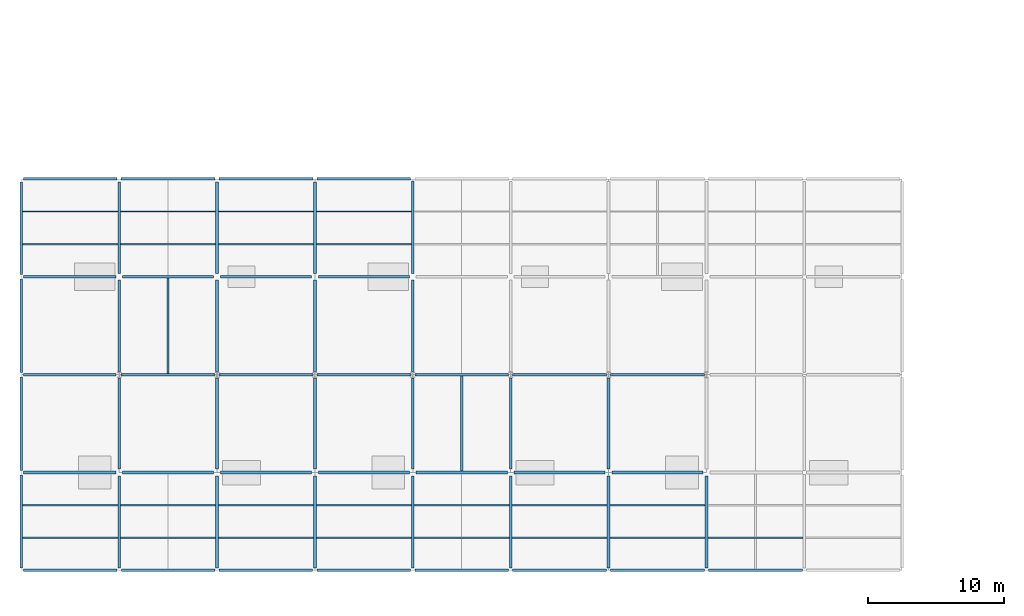
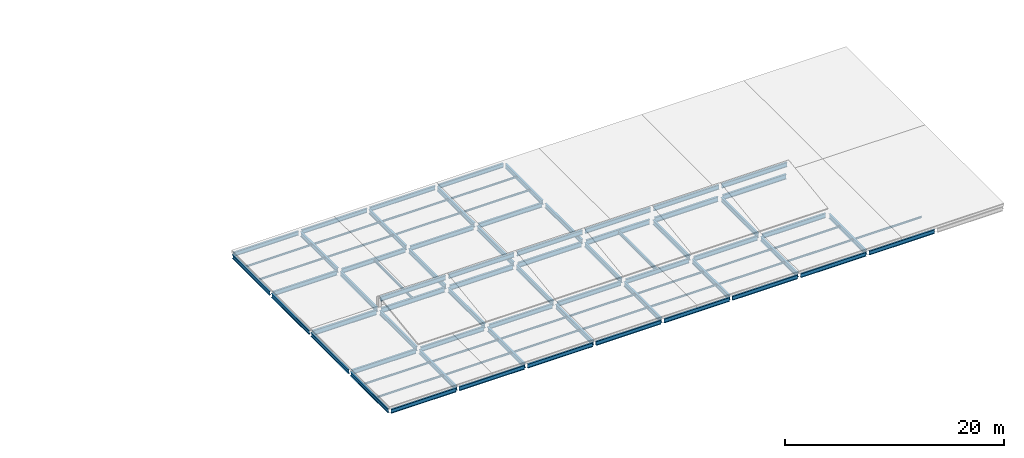
# One storey, part 3 of 16: 63 beams, 23 members.
"""IFC4 building model written with IfcOpenShell, lengths in metres."""

from ifc_helpers import new_model, si_unit, direction, frame, origin, origin_2d, place, context, subcontext, project, spatial, i_section, extrude, material, material_profile, profile_set, type_object, element, save


model = new_model("IFC4")

# Units and contexts
model_context = context("Model", 3, precision=1e-05, world=origin(), true_north=direction((0.0, 1.0)))
body_context = subcontext(model_context, "Body", "Model", "MODEL_VIEW")
ifc_project = project(units=[si_unit("LENGTHUNIT", "METRE"), si_unit("AREAUNIT", "SQUARE_METRE"), si_unit("VOLUMEUNIT", "CUBIC_METRE"), si_unit("PLANEANGLEUNIT", "RADIAN"), si_unit("MASSUNIT", "GRAM", prefix="KILO")], contexts=[model_context])

# Site, building, storey
site_placement = place(None, origin())
site = spatial("IfcSite", under=ifc_project, at=site_placement, CompositionType="ELEMENT")
building_placement = place(site_placement, origin())
building = spatial("IfcBuilding", under=site, at=building_placement, Name="Sardonyx Promenade Sports Hall", CompositionType="ELEMENT")
storey_placement = place(building_placement, frame((0.0, 0.0, 24.800048828125)))
storey = spatial("IfcBuildingStorey", under=building, at=storey_placement, Name="RF", CompositionType="ELEMENT", Elevation=24.800048828125)

# Beams
ifc_material_1 = material(Name="Steel S355JR", Category="steel")
ifc_material_profile_1 = material_profile(ifc_material_1, i_section(OverallWidth=0.135009765625, OverallDepth=0.27001953125, WebThickness=0.006591796875, FlangeThickness=0.01025390625, at=origin_2d()))
ifc_profile_set_1 = profile_set([ifc_material_profile_1], Name="Steel S355JR")
beam_type_1 = type_object("IfcBeamType", Name="Bm_Joist_IPE270", PredefinedType="JOIST", material=ifc_profile_set_1)
beam_1_placement = place(storey_placement, frame((18.0, 14.5048828125, -0.364990234375), z_axis=(0.0, 1.0, 0.0), x_axis=(-1.0, 0.0, 0.0)))
element("IfcBeam", 1, at=beam_1_placement, inside=storey, type_object=beam_type_1, Name="Secondary joist SJ01 RF #1184", PredefinedType="JOIST", context=body_context, shape_type="SweptSolid", body=[
    extrude(i_section(OverallWidth=0.135009765625, OverallDepth=0.27001953125, WebThickness=0.006591796875, FlangeThickness=0.01025390625, at=origin_2d()), origin(), (0.0, 0.0, 1.0), 6.9951171875),
])
ifc_material_2 = material(Name="Steel S355JR", Category="steel")
ifc_material_profile_2 = material_profile(ifc_material_2, i_section(OverallWidth=0.169921875, OverallDepth=0.360107421875, WebThickness=0.008056640625, FlangeThickness=0.0126953125, at=origin_2d()))
ifc_profile_set_2 = profile_set([ifc_material_profile_2], Name="Steel S355JR")
beam_type_2 = type_object("IfcBeamType", Name="Bm_Joist_IPE360", PredefinedType="JOIST", material=ifc_profile_set_2)
beam_2_placement = place(storey_placement, frame((39.60009765625, 7.300048828125, -0.41015625), z_axis=(0.0, 1.0, 0.0), x_axis=(-1.0, 0.0, 0.0)))
element("IfcBeam", 2, at=beam_2_placement, inside=storey, type_object=beam_type_2, Name="Secondary joist SJ05 RF #1185", PredefinedType="JOIST", context=body_context, shape_type="SweptSolid", body=[
    extrude(i_section(OverallWidth=0.169921875, OverallDepth=0.360107421875, WebThickness=0.008056640625, FlangeThickness=0.0126953125, at=origin_2d()), origin(), (0.0, 0.0, 1.0), 6.994873046875),
])
ifc_material_3 = material(Name="Steel S355JR", Category="steel")
ifc_material_profile_3 = material_profile(ifc_material_3, i_section(OverallWidth=0.199951171875, OverallDepth=0.5, WebThickness=0.01025390625, FlangeThickness=0.01611328125, at=origin_2d()))
ifc_profile_set_3 = profile_set([ifc_material_profile_3], Name="Steel S355JR")
beam_type_3 = type_object("IfcBeamType", Name="Bm_Primary_IPE500", PredefinedType="BEAM", material=ifc_profile_set_3)
for number, where, z_axis, x_axis, name in (
    (3, (14.550048828125, 14.39990234375, 0.8017578125), (1.0, 0.0, 0.0), (0.0, 1.0, 0.0), "Pavilion ridge beam #1"),
    (4, (21.75, 14.39990234375, 0.8017578125), (1.0, 0.0, 0.0), (0.0, 1.0, 0.0), "Pavilion ridge beam #2"),
):
    element("IfcBeam", number, at=place(storey_placement, frame(where, z_axis=z_axis, x_axis=x_axis)), inside=storey, type_object=beam_type_3, Name=name, PredefinedType="BEAM", context=body_context, shape_type="SweptSolid", body=[
        extrude(i_section(OverallWidth=0.199951171875, OverallDepth=0.5, WebThickness=0.01025390625, FlangeThickness=0.01611328125, at=origin_2d()), origin(), (0.0, 0.0, 1.0), 6.89990234375),
    ])
for number, where, z_axis, x_axis, name in (
    (5, (28.949951171875, 14.39990234375, 0.8017578125), (1.0, 0.0, 0.0), (0.0, 1.0, 0.0), "Pavilion ridge beam #3"),
    (6, (36.14990234375, 14.39990234375, 0.8017578125), (1.0, 0.0, 0.0), (0.0, 1.0, 0.0), "Pavilion ridge beam #4"),
):
    element("IfcBeam", number, at=place(storey_placement, frame(where, z_axis=z_axis, x_axis=x_axis)), inside=storey, type_object=beam_type_3, Name=name, PredefinedType="BEAM", context=body_context, shape_type="SweptSolid", body=[
        extrude(i_section(OverallWidth=0.199951171875, OverallDepth=0.5, WebThickness=0.01025390625, FlangeThickness=0.01611328125, at=origin_2d()), origin(), (0.0, 0.0, 1.0), 6.900146484375),
    ])
for number, where, z_axis, x_axis, name in (
    (7, (43.35009765625, 14.39990234375, 0.8017578125), (1.0, 0.0, 0.0), (0.0, 1.0, 0.0), "Pavilion ridge beam #5"),
    (8, (50.550048828125, 14.39990234375, 0.8017578125), (1.0, 0.0, 0.0), (0.0, 1.0, 0.0), "Pavilion ridge beam #6"),
):
    element("IfcBeam", number, at=place(storey_placement, frame(where, z_axis=z_axis, x_axis=x_axis)), inside=storey, type_object=beam_type_3, Name=name, PredefinedType="BEAM", context=body_context, shape_type="SweptSolid", body=[
        extrude(i_section(OverallWidth=0.199951171875, OverallDepth=0.5, WebThickness=0.01025390625, FlangeThickness=0.01611328125, at=origin_2d()), origin(), (0.0, 0.0, 1.0), 6.89990234375),
    ])
beam_3_placement = place(storey_placement, frame((7.362060546875, 7.199951171875, -0.47998046875), z_axis=(1.0, 0.0, 0.0), x_axis=(0.0, 1.0, 0.0)))
element("IfcBeam", 9, at=beam_3_placement, inside=storey, type_object=beam_type_3, Name="Beam SB06 RF #1108", PredefinedType="BEAM", context=body_context, shape_type="SweptSolid", body=[
    extrude(i_section(OverallWidth=0.199951171875, OverallDepth=0.5, WebThickness=0.01025390625, FlangeThickness=0.01611328125, at=origin_2d()), origin(), (0.0, 0.0, 1.0), 6.787841796875),
])
beam_4_placement = place(storey_placement, frame((14.64990234375, 7.199951171875, -0.47998046875), z_axis=(1.0, 0.0, 0.0), x_axis=(0.0, 1.0, 0.0)))
element("IfcBeam", 10, at=beam_4_placement, inside=storey, type_object=beam_type_3, Name="Beam SB06 RF #1109", PredefinedType="BEAM", context=body_context, shape_type="SweptSolid", body=[
    extrude(i_section(OverallWidth=0.199951171875, OverallDepth=0.5, WebThickness=0.01025390625, FlangeThickness=0.01611328125, at=origin_2d()), origin(), (0.0, 0.0, 1.0), 6.7001953125),
])
for number, where, z_axis, x_axis, name in (
    (11, (21.85009765625, 7.199951171875, -0.47998046875), (1.0, 0.0, 0.0), (0.0, 1.0, 0.0), "Beam SB06 RF #1110"),
    (12, (29.050048828125, 7.199951171875, -0.47998046875), (1.0, 0.0, 0.0), (0.0, 1.0, 0.0), "Beam SB06 RF #1111"),
    (13, (36.25, 7.199951171875, -0.47998046875), (1.0, 0.0, 0.0), (0.0, 1.0, 0.0), "Beam SB06 RF #1112"),
    (14, (43.449951171875, 7.199951171875, -0.47998046875), (1.0, 0.0, 0.0), (0.0, 1.0, 0.0), "Beam SB06 RF #1113"),
):
    element("IfcBeam", number, at=place(storey_placement, frame(where, z_axis=z_axis, x_axis=x_axis)), inside=storey, type_object=beam_type_3, Name=name, PredefinedType="BEAM", context=body_context, shape_type="SweptSolid", body=[
        extrude(i_section(OverallWidth=0.199951171875, OverallDepth=0.5, WebThickness=0.01025390625, FlangeThickness=0.01611328125, at=origin_2d()), origin(), (0.0, 0.0, 1.0), 6.699951171875),
    ])
beam_5_placement = place(storey_placement, frame((50.64990234375, 7.199951171875, -0.47998046875), z_axis=(1.0, 0.0, 0.0), x_axis=(0.0, 1.0, 0.0)))
element("IfcBeam", 15, at=beam_5_placement, inside=storey, type_object=beam_type_3, Name="Beam SB06 RF #1114", PredefinedType="BEAM", context=body_context, shape_type="SweptSolid", body=[
    extrude(i_section(OverallWidth=0.199951171875, OverallDepth=0.5, WebThickness=0.01025390625, FlangeThickness=0.01611328125, at=origin_2d()), origin(), (0.0, 0.0, 1.0), 6.7001953125),
])
beam_6_placement = place(storey_placement, frame((7.362060546875, 21.60009765625, -0.47998046875), z_axis=(1.0, 0.0, 0.0), x_axis=(0.0, 1.0, 0.0)))
element("IfcBeam", 16, at=beam_6_placement, inside=storey, type_object=beam_type_3, Name="Beam SB06 RF #1126", PredefinedType="BEAM", context=body_context, shape_type="SweptSolid", body=[
    extrude(i_section(OverallWidth=0.199951171875, OverallDepth=0.5, WebThickness=0.01025390625, FlangeThickness=0.01611328125, at=origin_2d()), origin(), (0.0, 0.0, 1.0), 6.787841796875),
])
beam_7_placement = place(storey_placement, frame((14.64990234375, 21.60009765625, -0.47998046875), z_axis=(1.0, 0.0, 0.0), x_axis=(0.0, 1.0, 0.0)))
element("IfcBeam", 17, at=beam_7_placement, inside=storey, type_object=beam_type_3, Name="Beam SB06 RF #1127", PredefinedType="BEAM", context=body_context, shape_type="SweptSolid", body=[
    extrude(i_section(OverallWidth=0.199951171875, OverallDepth=0.5, WebThickness=0.01025390625, FlangeThickness=0.01611328125, at=origin_2d()), origin(), (0.0, 0.0, 1.0), 6.7001953125),
])
for number, where, z_axis, x_axis, name in (
    (18, (21.85009765625, 21.60009765625, -0.47998046875), (1.0, 0.0, 0.0), (0.0, 1.0, 0.0), "Beam SB06 RF #1128"),
    (19, (29.050048828125, 21.60009765625, -0.47998046875), (1.0, 0.0, 0.0), (0.0, 1.0, 0.0), "Beam SB06 RF #1129"),
):
    element("IfcBeam", number, at=place(storey_placement, frame(where, z_axis=z_axis, x_axis=x_axis)), inside=storey, type_object=beam_type_3, Name=name, PredefinedType="BEAM", context=body_context, shape_type="SweptSolid", body=[
        extrude(i_section(OverallWidth=0.199951171875, OverallDepth=0.5, WebThickness=0.01025390625, FlangeThickness=0.01611328125, at=origin_2d()), origin(), (0.0, 0.0, 1.0), 6.699951171875),
    ])
beam_8_placement = place(storey_placement, frame((14.39990234375, 0.161865234375, -0.47998046875), z_axis=(0.0, 1.0, 0.0), x_axis=(-1.0, 0.0, 0.0)))
element("IfcBeam", 20, at=beam_8_placement, inside=storey, type_object=beam_type_3, Name="Beam SB06 RF #1148", PredefinedType="BEAM", context=body_context, shape_type="SweptSolid", body=[
    extrude(i_section(OverallWidth=0.199951171875, OverallDepth=0.5, WebThickness=0.01025390625, FlangeThickness=0.01611328125, at=origin_2d()), origin(), (0.0, 0.0, 1.0), 6.7880859375),
])
beam_9_placement = place(storey_placement, frame((14.39990234375, 7.449951171875, -0.47998046875), z_axis=(0.0, 1.0, 0.0), x_axis=(-1.0, 0.0, 0.0)))
element("IfcBeam", 21, at=beam_9_placement, inside=storey, type_object=beam_type_3, Name="Beam SB06 RF #1149", PredefinedType="BEAM", context=body_context, shape_type="SweptSolid", body=[
    extrude(i_section(OverallWidth=0.199951171875, OverallDepth=0.5, WebThickness=0.01025390625, FlangeThickness=0.01611328125, at=origin_2d()), origin(), (0.0, 0.0, 1.0), 6.699951171875),
])
beam_10_placement = place(storey_placement, frame((14.39990234375, 14.64990234375, -0.47998046875), z_axis=(0.0, 1.0, 0.0), x_axis=(-1.0, 0.0, 0.0)))
element("IfcBeam", 22, at=beam_10_placement, inside=storey, type_object=beam_type_3, Name="Beam SB06 RF #1150", PredefinedType="BEAM", context=body_context, shape_type="SweptSolid", body=[
    extrude(i_section(OverallWidth=0.199951171875, OverallDepth=0.5, WebThickness=0.01025390625, FlangeThickness=0.01611328125, at=origin_2d()), origin(), (0.0, 0.0, 1.0), 6.7001953125),
])
beam_11_placement = place(storey_placement, frame((14.39990234375, 21.85009765625, -0.47998046875), z_axis=(0.0, 1.0, 0.0), x_axis=(-1.0, 0.0, 0.0)))
element("IfcBeam", 23, at=beam_11_placement, inside=storey, type_object=beam_type_3, Name="Beam SB06 RF #1151", PredefinedType="BEAM", context=body_context, shape_type="SweptSolid", body=[
    extrude(i_section(OverallWidth=0.199951171875, OverallDepth=0.5, WebThickness=0.01025390625, FlangeThickness=0.01611328125, at=origin_2d()), origin(), (0.0, 0.0, 1.0), 6.72998046875),
])
beam_12_placement = place(storey_placement, frame((21.60009765625, 0.161865234375, -0.47998046875), z_axis=(0.0, 1.0, 0.0), x_axis=(-1.0, 0.0, 0.0)))
element("IfcBeam", 24, at=beam_12_placement, inside=storey, type_object=beam_type_3, Name="Beam SB06 RF #1152", PredefinedType="BEAM", context=body_context, shape_type="SweptSolid", body=[
    extrude(i_section(OverallWidth=0.199951171875, OverallDepth=0.5, WebThickness=0.01025390625, FlangeThickness=0.01611328125, at=origin_2d()), origin(), (0.0, 0.0, 1.0), 6.7880859375),
])
beam_13_placement = place(storey_placement, frame((21.60009765625, 7.449951171875, -0.47998046875), z_axis=(0.0, 1.0, 0.0), x_axis=(-1.0, 0.0, 0.0)))
element("IfcBeam", 25, at=beam_13_placement, inside=storey, type_object=beam_type_3, Name="Beam SB06 RF #1153", PredefinedType="BEAM", context=body_context, shape_type="SweptSolid", body=[
    extrude(i_section(OverallWidth=0.199951171875, OverallDepth=0.5, WebThickness=0.01025390625, FlangeThickness=0.01611328125, at=origin_2d()), origin(), (0.0, 0.0, 1.0), 6.699951171875),
])
beam_14_placement = place(storey_placement, frame((21.60009765625, 14.64990234375, -0.47998046875), z_axis=(0.0, 1.0, 0.0), x_axis=(-1.0, 0.0, 0.0)))
element("IfcBeam", 26, at=beam_14_placement, inside=storey, type_object=beam_type_3, Name="Beam SB06 RF #1154", PredefinedType="BEAM", context=body_context, shape_type="SweptSolid", body=[
    extrude(i_section(OverallWidth=0.199951171875, OverallDepth=0.5, WebThickness=0.01025390625, FlangeThickness=0.01611328125, at=origin_2d()), origin(), (0.0, 0.0, 1.0), 6.7001953125),
])
beam_15_placement = place(storey_placement, frame((21.60009765625, 21.85009765625, -0.47998046875), z_axis=(0.0, 1.0, 0.0), x_axis=(-1.0, 0.0, 0.0)))
element("IfcBeam", 27, at=beam_15_placement, inside=storey, type_object=beam_type_3, Name="Beam SB06 RF #1155", PredefinedType="BEAM", context=body_context, shape_type="SweptSolid", body=[
    extrude(i_section(OverallWidth=0.199951171875, OverallDepth=0.5, WebThickness=0.01025390625, FlangeThickness=0.01611328125, at=origin_2d()), origin(), (0.0, 0.0, 1.0), 6.72998046875),
])
beam_16_placement = place(storey_placement, frame((28.800048828125, 0.161865234375, -0.47998046875), z_axis=(0.0, 1.0, 0.0), x_axis=(-1.0, 0.0, 0.0)))
element("IfcBeam", 28, at=beam_16_placement, inside=storey, type_object=beam_type_3, Name="Beam SB06 RF #1156", PredefinedType="BEAM", context=body_context, shape_type="SweptSolid", body=[
    extrude(i_section(OverallWidth=0.199951171875, OverallDepth=0.5, WebThickness=0.01025390625, FlangeThickness=0.01611328125, at=origin_2d()), origin(), (0.0, 0.0, 1.0), 6.7880859375),
])
beam_17_placement = place(storey_placement, frame((28.800048828125, 7.449951171875, -0.47998046875), z_axis=(0.0, 1.0, 0.0), x_axis=(-1.0, 0.0, 0.0)))
element("IfcBeam", 29, at=beam_17_placement, inside=storey, type_object=beam_type_3, Name="Beam SB06 RF #1157", PredefinedType="BEAM", context=body_context, shape_type="SweptSolid", body=[
    extrude(i_section(OverallWidth=0.199951171875, OverallDepth=0.5, WebThickness=0.01025390625, FlangeThickness=0.01611328125, at=origin_2d()), origin(), (0.0, 0.0, 1.0), 6.699951171875),
])
beam_18_placement = place(storey_placement, frame((28.800048828125, 14.64990234375, -0.47998046875), z_axis=(0.0, 1.0, 0.0), x_axis=(-1.0, 0.0, 0.0)))
element("IfcBeam", 30, at=beam_18_placement, inside=storey, type_object=beam_type_3, Name="Beam SB06 RF #1158", PredefinedType="BEAM", context=body_context, shape_type="SweptSolid", body=[
    extrude(i_section(OverallWidth=0.199951171875, OverallDepth=0.5, WebThickness=0.01025390625, FlangeThickness=0.01611328125, at=origin_2d()), origin(), (0.0, 0.0, 1.0), 6.7001953125),
])
beam_19_placement = place(storey_placement, frame((28.800048828125, 21.85009765625, -0.47998046875), z_axis=(0.0, 1.0, 0.0), x_axis=(-1.0, 0.0, 0.0)))
element("IfcBeam", 31, at=beam_19_placement, inside=storey, type_object=beam_type_3, Name="Beam SB06 RF #1159", PredefinedType="BEAM", context=body_context, shape_type="SweptSolid", body=[
    extrude(i_section(OverallWidth=0.199951171875, OverallDepth=0.5, WebThickness=0.01025390625, FlangeThickness=0.01611328125, at=origin_2d()), origin(), (0.0, 0.0, 1.0), 6.72998046875),
])
beam_20_placement = place(storey_placement, frame((36.0, 0.161865234375, -0.47998046875), z_axis=(0.0, 1.0, 0.0), x_axis=(-1.0, 0.0, 0.0)))
element("IfcBeam", 32, at=beam_20_placement, inside=storey, type_object=beam_type_3, Name="Beam SB06 RF #1160", PredefinedType="BEAM", context=body_context, shape_type="SweptSolid", body=[
    extrude(i_section(OverallWidth=0.199951171875, OverallDepth=0.5, WebThickness=0.01025390625, FlangeThickness=0.01611328125, at=origin_2d()), origin(), (0.0, 0.0, 1.0), 6.7880859375),
])
beam_21_placement = place(storey_placement, frame((36.0, 7.449951171875, -0.47998046875), z_axis=(0.0, 1.0, 0.0), x_axis=(-1.0, 0.0, 0.0)))
element("IfcBeam", 33, at=beam_21_placement, inside=storey, type_object=beam_type_3, Name="Beam SB06 RF #1161", PredefinedType="BEAM", context=body_context, shape_type="SweptSolid", body=[
    extrude(i_section(OverallWidth=0.199951171875, OverallDepth=0.5, WebThickness=0.01025390625, FlangeThickness=0.01611328125, at=origin_2d()), origin(), (0.0, 0.0, 1.0), 6.699951171875),
])
beam_22_placement = place(storey_placement, frame((36.0, 14.64990234375, -0.47998046875), z_axis=(0.0, 1.0, 0.0), x_axis=(-1.0, 0.0, 0.0)))
element("IfcBeam", 34, at=beam_22_placement, inside=storey, type_object=beam_type_3, Name="Beam SB06 RF #1162", PredefinedType="BEAM", context=body_context, shape_type="SweptSolid", body=[
    extrude(i_section(OverallWidth=0.199951171875, OverallDepth=0.5, WebThickness=0.01025390625, FlangeThickness=0.01611328125, at=origin_2d()), origin(), (0.0, 0.0, 1.0), 6.7001953125),
])
beam_23_placement = place(storey_placement, frame((36.0, 21.85009765625, -0.47998046875), z_axis=(0.0, 1.0, 0.0), x_axis=(-1.0, 0.0, 0.0)))
element("IfcBeam", 35, at=beam_23_placement, inside=storey, type_object=beam_type_3, Name="Beam SB06 RF #1163", PredefinedType="BEAM", context=body_context, shape_type="SweptSolid", body=[
    extrude(i_section(OverallWidth=0.199951171875, OverallDepth=0.5, WebThickness=0.01025390625, FlangeThickness=0.01611328125, at=origin_2d()), origin(), (0.0, 0.0, 1.0), 6.787841796875),
])
beam_24_placement = place(storey_placement, frame((43.199951171875, 0.195068359375, -0.47998046875), z_axis=(0.0, 1.0, 0.0), x_axis=(-1.0, 0.0, 0.0)))
element("IfcBeam", 36, at=beam_24_placement, inside=storey, type_object=beam_type_3, Name="Beam SB06 RF #1164", PredefinedType="BEAM", context=body_context, shape_type="SweptSolid", body=[
    extrude(i_section(OverallWidth=0.199951171875, OverallDepth=0.5, WebThickness=0.01025390625, FlangeThickness=0.01611328125, at=origin_2d()), origin(), (0.0, 0.0, 1.0), 6.7548828125),
])
beam_25_placement = place(storey_placement, frame((43.199951171875, 7.449951171875, -0.47998046875), z_axis=(0.0, 1.0, 0.0), x_axis=(-1.0, 0.0, 0.0)))
element("IfcBeam", 37, at=beam_25_placement, inside=storey, type_object=beam_type_3, Name="Beam SB06 RF #1165", PredefinedType="BEAM", context=body_context, shape_type="SweptSolid", body=[
    extrude(i_section(OverallWidth=0.199951171875, OverallDepth=0.5, WebThickness=0.01025390625, FlangeThickness=0.01611328125, at=origin_2d()), origin(), (0.0, 0.0, 1.0), 6.699951171875),
])
beam_26_placement = place(storey_placement, frame((50.39990234375, 0.195068359375, -0.47998046875), z_axis=(0.0, 1.0, 0.0), x_axis=(-1.0, 0.0, 0.0)))
element("IfcBeam", 38, at=beam_26_placement, inside=storey, type_object=beam_type_3, Name="Beam SB06 RF #1168", PredefinedType="BEAM", context=body_context, shape_type="SweptSolid", body=[
    extrude(i_section(OverallWidth=0.199951171875, OverallDepth=0.5, WebThickness=0.01025390625, FlangeThickness=0.01611328125, at=origin_2d()), origin(), (0.0, 0.0, 1.0), 6.7548828125),
])
beam_27_placement = place(storey_placement, frame((50.39990234375, 7.449951171875, -0.47998046875), z_axis=(0.0, 1.0, 0.0), x_axis=(-1.0, 0.0, 0.0)))
element("IfcBeam", 39, at=beam_27_placement, inside=storey, type_object=beam_type_3, Name="Beam SB06 RF #1169", PredefinedType="BEAM", context=body_context, shape_type="SweptSolid", body=[
    extrude(i_section(OverallWidth=0.199951171875, OverallDepth=0.5, WebThickness=0.01025390625, FlangeThickness=0.01611328125, at=origin_2d()), origin(), (0.0, 0.0, 1.0), 6.699951171875),
])
beam_28_placement = place(storey_placement, frame((57.60009765625, 0.195068359375, -0.47998046875), z_axis=(0.0, 1.0, 0.0), x_axis=(-1.0, 0.0, 0.0)))
element("IfcBeam", 40, at=beam_28_placement, inside=storey, type_object=beam_type_3, Name="Beam SB06 RF #1172", PredefinedType="BEAM", context=body_context, shape_type="SweptSolid", body=[
    extrude(i_section(OverallWidth=0.199951171875, OverallDepth=0.5, WebThickness=0.01025390625, FlangeThickness=0.01611328125, at=origin_2d()), origin(), (0.0, 0.0, 1.0), 6.7548828125),
])
ifc_material_4 = material(Name="Steel S355JR", Category="steel")
ifc_material_profile_4 = material_profile(ifc_material_4, i_section(OverallWidth=0.2099609375, OverallDepth=0.550048828125, WebThickness=0.010986328125, FlangeThickness=0.01708984375, at=origin_2d()))
ifc_profile_set_4 = profile_set([ifc_material_profile_4], Name="Steel S355JR")
beam_type_4 = type_object("IfcBeamType", Name="Bm_Primary_IPE550", PredefinedType="BEAM", material=ifc_profile_set_4)
beam_29_placement = place(storey_placement, frame((7.362060546875, 14.39990234375, -0.505126953125), z_axis=(1.0, 0.0, 0.0), x_axis=(0.0, 1.0, 0.0)))
element("IfcBeam", 41, at=beam_29_placement, inside=storey, type_object=beam_type_4, Name="Beam SB03 RF #1117", PredefinedType="BEAM", context=body_context, shape_type="SweptSolid", body=[
    extrude(i_section(OverallWidth=0.2099609375, OverallDepth=0.550048828125, WebThickness=0.010986328125, FlangeThickness=0.01708984375, at=origin_2d()), origin(), (0.0, 0.0, 1.0), 6.787841796875),
])
beam_30_placement = place(storey_placement, frame((14.64990234375, 14.39990234375, -0.505126953125), z_axis=(1.0, 0.0, 0.0), x_axis=(0.0, 1.0, 0.0)))
element("IfcBeam", 42, at=beam_30_placement, inside=storey, type_object=beam_type_4, Name="Beam SB03 RF #1118", PredefinedType="BEAM", context=body_context, shape_type="SweptSolid", body=[
    extrude(i_section(OverallWidth=0.2099609375, OverallDepth=0.550048828125, WebThickness=0.010986328125, FlangeThickness=0.01708984375, at=origin_2d()), origin(), (0.0, 0.0, 1.0), 6.7001953125),
])
for number, where, z_axis, x_axis, name in (
    (43, (21.85009765625, 14.39990234375, -0.505126953125), (1.0, 0.0, 0.0), (0.0, 1.0, 0.0), "Beam SB03 RF #1119"),
    (44, (29.050048828125, 14.39990234375, -0.505126953125), (1.0, 0.0, 0.0), (0.0, 1.0, 0.0), "Beam SB03 RF #1120"),
    (45, (36.25, 14.39990234375, -0.505126953125), (1.0, 0.0, 0.0), (0.0, 1.0, 0.0), "Beam SB03 RF #1121"),
    (46, (43.449951171875, 14.39990234375, -0.505126953125), (1.0, 0.0, 0.0), (0.0, 1.0, 0.0), "Beam SB03 RF #1122"),
):
    element("IfcBeam", number, at=place(storey_placement, frame(where, z_axis=z_axis, x_axis=x_axis)), inside=storey, type_object=beam_type_4, Name=name, PredefinedType="BEAM", context=body_context, shape_type="SweptSolid", body=[
        extrude(i_section(OverallWidth=0.2099609375, OverallDepth=0.550048828125, WebThickness=0.010986328125, FlangeThickness=0.01708984375, at=origin_2d()), origin(), (0.0, 0.0, 1.0), 6.699951171875),
    ])
beam_31_placement = place(storey_placement, frame((50.64990234375, 14.39990234375, -0.505126953125), z_axis=(1.0, 0.0, 0.0), x_axis=(0.0, 1.0, 0.0)))
element("IfcBeam", 47, at=beam_31_placement, inside=storey, type_object=beam_type_4, Name="Beam SB03 RF #1123", PredefinedType="BEAM", context=body_context, shape_type="SweptSolid", body=[
    extrude(i_section(OverallWidth=0.2099609375, OverallDepth=0.550048828125, WebThickness=0.010986328125, FlangeThickness=0.01708984375, at=origin_2d()), origin(), (0.0, 0.0, 1.0), 6.7001953125),
])
ifc_material_5 = material(Name="Steel S355JR", Category="steel")
ifc_material_profile_5 = material_profile(ifc_material_5, i_section(OverallWidth=0.18994140625, OverallDepth=0.449951171875, WebThickness=0.009521484375, FlangeThickness=0.0146484375, at=origin_2d()))
ifc_profile_set_5 = profile_set([ifc_material_profile_5], Name="Steel S355JR")
beam_type_5 = type_object("IfcBeamType", Name="Bm_Spandrel_Steel", PredefinedType="SPANDREL", material=ifc_profile_set_5)
for number, where, z_axis, x_axis, name in (
    (48, (7.362060546875, 0.0, -0.455078125), (1.0, 0.0, 0.0), (0.0, 1.0, 0.0), "Beam SPB3 RF #1099"),
    (49, (14.56201171875, 0.0, -0.455078125), (1.0, 0.0, 0.0), (0.0, 1.0, 0.0), "Beam SPB3 RF #1100"),
    (50, (21.761962890625, 0.0, -0.455078125), (1.0, 0.0, 0.0), (0.0, 1.0, 0.0), "Beam SPB3 RF #1101"),
):
    element("IfcBeam", number, at=place(storey_placement, frame(where, z_axis=z_axis, x_axis=x_axis)), inside=storey, type_object=beam_type_5, Name=name, PredefinedType="SPANDREL", context=body_context, shape_type="SweptSolid", body=[
        extrude(i_section(OverallWidth=0.18994140625, OverallDepth=0.449951171875, WebThickness=0.009521484375, FlangeThickness=0.0146484375, at=origin_2d()), origin(), (0.0, 0.0, 1.0), 6.8759765625),
    ])
beam_32_placement = place(storey_placement, frame((28.9619140625, 0.0, -0.455078125), z_axis=(1.0, 0.0, 0.0), x_axis=(0.0, 1.0, 0.0)))
element("IfcBeam", 51, at=beam_32_placement, inside=storey, type_object=beam_type_5, Name="Beam SPB3 RF #1102", PredefinedType="SPANDREL", context=body_context, shape_type="SweptSolid", body=[
    extrude(i_section(OverallWidth=0.18994140625, OverallDepth=0.449951171875, WebThickness=0.009521484375, FlangeThickness=0.0146484375, at=origin_2d()), origin(), (0.0, 0.0, 1.0), 6.876220703125),
])
beam_33_placement = place(storey_placement, frame((36.161865234375, 0.0, -0.455078125), z_axis=(1.0, 0.0, 0.0), x_axis=(0.0, 1.0, 0.0)))
element("IfcBeam", 52, at=beam_33_placement, inside=storey, type_object=beam_type_5, Name="Beam SPB3 RF #1103", PredefinedType="SPANDREL", context=body_context, shape_type="SweptSolid", body=[
    extrude(i_section(OverallWidth=0.18994140625, OverallDepth=0.449951171875, WebThickness=0.009521484375, FlangeThickness=0.0146484375, at=origin_2d()), origin(), (0.0, 0.0, 1.0), 6.88818359375),
])
for number, where, z_axis, x_axis, name in (
    (53, (43.35009765625, 0.0, -0.455078125), (1.0, 0.0, 0.0), (0.0, 1.0, 0.0), "Beam SPB3 RF #1104"),
    (54, (50.550048828125, 0.0, -0.455078125), (1.0, 0.0, 0.0), (0.0, 1.0, 0.0), "Beam SPB3 RF #1105"),
    (55, (57.75, 0.0, -0.455078125), (1.0, 0.0, 0.0), (0.0, 1.0, 0.0), "Beam SPB3 RF #1106"),
    (56, (7.35009765625, 28.800048828125, -0.455078125), (1.0, 0.0, 0.0), (0.0, 1.0, 0.0), "Beam SPB3 RF #1135"),
    (57, (14.550048828125, 28.800048828125, -0.455078125), (1.0, 0.0, 0.0), (0.0, 1.0, 0.0), "Beam SPB3 RF #1136"),
    (58, (21.75, 28.800048828125, -0.455078125), (1.0, 0.0, 0.0), (0.0, 1.0, 0.0), "Beam SPB3 RF #1137"),
):
    element("IfcBeam", number, at=place(storey_placement, frame(where, z_axis=z_axis, x_axis=x_axis)), inside=storey, type_object=beam_type_5, Name=name, PredefinedType="SPANDREL", context=body_context, shape_type="SweptSolid", body=[
        extrude(i_section(OverallWidth=0.18994140625, OverallDepth=0.449951171875, WebThickness=0.009521484375, FlangeThickness=0.0146484375, at=origin_2d()), origin(), (0.0, 0.0, 1.0), 6.89990234375),
    ])
beam_34_placement = place(storey_placement, frame((28.949951171875, 28.800048828125, -0.455078125), z_axis=(1.0, 0.0, 0.0), x_axis=(0.0, 1.0, 0.0)))
element("IfcBeam", 59, at=beam_34_placement, inside=storey, type_object=beam_type_5, Name="Beam SPB3 RF #1138", PredefinedType="SPANDREL", context=body_context, shape_type="SweptSolid", body=[
    extrude(i_section(OverallWidth=0.18994140625, OverallDepth=0.449951171875, WebThickness=0.009521484375, FlangeThickness=0.0146484375, at=origin_2d()), origin(), (0.0, 0.0, 1.0), 6.88818359375),
])
beam_35_placement = place(storey_placement, frame((7.199951171875, 0.161865234375, -0.455078125), z_axis=(0.0, 1.0, 0.0), x_axis=(-1.0, 0.0, 0.0)))
element("IfcBeam", 60, at=beam_35_placement, inside=storey, type_object=beam_type_5, Name="Beam SPB3 RF #1144", PredefinedType="SPANDREL", context=body_context, shape_type="SweptSolid", body=[
    extrude(i_section(OverallWidth=0.18994140625, OverallDepth=0.449951171875, WebThickness=0.009521484375, FlangeThickness=0.0146484375, at=origin_2d()), origin(), (0.0, 0.0, 1.0), 6.876220703125),
])
for number, where, z_axis, x_axis, name in (
    (61, (7.199951171875, 7.362060546875, -0.455078125), (0.0, 1.0, 0.0), (-1.0, 0.0, 0.0), "Beam SPB3 RF #1145"),
    (62, (7.199951171875, 14.56201171875, -0.455078125), (0.0, 1.0, 0.0), (-1.0, 0.0, 0.0), "Beam SPB3 RF #1146"),
):
    element("IfcBeam", number, at=place(storey_placement, frame(where, z_axis=z_axis, x_axis=x_axis)), inside=storey, type_object=beam_type_5, Name=name, PredefinedType="SPANDREL", context=body_context, shape_type="SweptSolid", body=[
        extrude(i_section(OverallWidth=0.18994140625, OverallDepth=0.449951171875, WebThickness=0.009521484375, FlangeThickness=0.0146484375, at=origin_2d()), origin(), (0.0, 0.0, 1.0), 6.8759765625),
    ])
beam_36_placement = place(storey_placement, frame((7.199951171875, 21.761962890625, -0.455078125), z_axis=(0.0, 1.0, 0.0), x_axis=(-1.0, 0.0, 0.0)))
element("IfcBeam", 63, at=beam_36_placement, inside=storey, type_object=beam_type_5, Name="Beam SPB3 RF #1147", PredefinedType="SPANDREL", context=body_context, shape_type="SweptSolid", body=[
    extrude(i_section(OverallWidth=0.18994140625, OverallDepth=0.449951171875, WebThickness=0.009521484375, FlangeThickness=0.0146484375, at=origin_2d()), origin(), (0.0, 0.0, 1.0), 6.818115234375),
])

# Members
ifc_material_6 = material(Name="Steel S355JR", Category="steel")
ifc_material_profile_6 = material_profile(ifc_material_6, i_section(OverallWidth=0.10009765625, OverallDepth=0.199951171875, WebThickness=0.005615234375, FlangeThickness=0.008544921875, at=origin_2d()))
ifc_profile_set_6 = profile_set([ifc_material_profile_6], Name="Steel S355JR")
member_type = type_object("IfcMemberType", Name="Mbr_Purlin_IPE200", PredefinedType="PURLIN", material=ifc_profile_set_6)
for number, where, z_axis, x_axis, name in (
    (64, (7.29296875, 2.39990234375, -0.330078125), (1.0, 0.0, 0.0), (0.0, 1.0, 0.0), "Roof purlin PR02 RF #15"),
    (65, (7.29296875, 4.800048828125, -0.330078125), (1.0, 0.0, 0.0), (0.0, 1.0, 0.0), "Roof purlin PR02 RF #16"),
    (66, (7.29296875, 24.0, -0.330078125), (1.0, 0.0, 0.0), (0.0, 1.0, 0.0), "Roof purlin PR02 RF #17"),
    (67, (7.29296875, 26.39990234375, -0.330078125), (1.0, 0.0, 0.0), (0.0, 1.0, 0.0), "Roof purlin PR02 RF #18"),
):
    element("IfcMember", number, at=place(storey_placement, frame(where, z_axis=z_axis, x_axis=x_axis)), inside=storey, type_object=member_type, Name=name, PredefinedType="PURLIN", context=body_context, shape_type="SweptSolid", body=[
        extrude(i_section(OverallWidth=0.10009765625, OverallDepth=0.199951171875, WebThickness=0.005615234375, FlangeThickness=0.008544921875, at=origin_2d()), origin(), (0.0, 0.0, 1.0), 7.009033203125),
    ])
for number, where, z_axis, x_axis, name in (
    (68, (14.498046875, 2.39990234375, -0.330078125), (1.0, 0.0, 0.0), (0.0, 1.0, 0.0), "Roof purlin PR02 RF #19"),
    (69, (14.498046875, 4.800048828125, -0.330078125), (1.0, 0.0, 0.0), (0.0, 1.0, 0.0), "Roof purlin PR02 RF #20"),
    (70, (14.498046875, 24.0, -0.330078125), (1.0, 0.0, 0.0), (0.0, 1.0, 0.0), "Roof purlin PR02 RF #21"),
    (71, (14.498046875, 26.39990234375, -0.330078125), (1.0, 0.0, 0.0), (0.0, 1.0, 0.0), "Roof purlin PR02 RF #22"),
    (72, (21.697998046875, 2.39990234375, -0.330078125), (1.0, 0.0, 0.0), (0.0, 1.0, 0.0), "Roof purlin PR02 RF #23"),
    (73, (21.697998046875, 4.800048828125, -0.330078125), (1.0, 0.0, 0.0), (0.0, 1.0, 0.0), "Roof purlin PR02 RF #24"),
    (74, (21.697998046875, 24.0, -0.330078125), (1.0, 0.0, 0.0), (0.0, 1.0, 0.0), "Roof purlin PR02 RF #25"),
    (75, (21.697998046875, 26.39990234375, -0.330078125), (1.0, 0.0, 0.0), (0.0, 1.0, 0.0), "Roof purlin PR02 RF #26"),
):
    element("IfcMember", number, at=place(storey_placement, frame(where, z_axis=z_axis, x_axis=x_axis)), inside=storey, type_object=member_type, Name=name, PredefinedType="PURLIN", context=body_context, shape_type="SweptSolid", body=[
        extrude(i_section(OverallWidth=0.10009765625, OverallDepth=0.199951171875, WebThickness=0.005615234375, FlangeThickness=0.008544921875, at=origin_2d()), origin(), (0.0, 0.0, 1.0), 7.00390625),
    ])
for number, where, z_axis, x_axis, name in (
    (76, (28.89794921875, 2.39990234375, -0.330078125), (1.0, 0.0, 0.0), (0.0, 1.0, 0.0), "Roof purlin PR02 RF #27"),
    (77, (28.89794921875, 4.800048828125, -0.330078125), (1.0, 0.0, 0.0), (0.0, 1.0, 0.0), "Roof purlin PR02 RF #28"),
    (78, (28.89794921875, 24.0, -0.330078125), (1.0, 0.0, 0.0), (0.0, 1.0, 0.0), "Roof purlin PR02 RF #29"),
    (79, (28.89794921875, 26.39990234375, -0.330078125), (1.0, 0.0, 0.0), (0.0, 1.0, 0.0), "Roof purlin PR02 RF #30"),
    (80, (36.097900390625, 2.39990234375, -0.330078125), (1.0, 0.0, 0.0), (0.0, 1.0, 0.0), "Roof purlin PR02 RF #31"),
    (81, (36.097900390625, 4.800048828125, -0.330078125), (1.0, 0.0, 0.0), (0.0, 1.0, 0.0), "Roof purlin PR02 RF #32"),
):
    element("IfcMember", number, at=place(storey_placement, frame(where, z_axis=z_axis, x_axis=x_axis)), inside=storey, type_object=member_type, Name=name, PredefinedType="PURLIN", context=body_context, shape_type="SweptSolid", body=[
        extrude(i_section(OverallWidth=0.10009765625, OverallDepth=0.199951171875, WebThickness=0.005615234375, FlangeThickness=0.008544921875, at=origin_2d()), origin(), (0.0, 0.0, 1.0), 7.004150390625),
    ])
for number, where, z_axis, x_axis, name in (
    (82, (43.298095703125, 2.39990234375, -0.330078125), (1.0, 0.0, 0.0), (0.0, 1.0, 0.0), "Roof purlin PR02 RF #35"),
    (83, (43.298095703125, 4.800048828125, -0.330078125), (1.0, 0.0, 0.0), (0.0, 1.0, 0.0), "Roof purlin PR02 RF #36"),
    (84, (50.498046875, 2.39990234375, -0.330078125), (1.0, 0.0, 0.0), (0.0, 1.0, 0.0), "Roof purlin PR02 RF #39"),
    (85, (50.498046875, 4.800048828125, -0.330078125), (1.0, 0.0, 0.0), (0.0, 1.0, 0.0), "Roof purlin PR02 RF #40"),
    (86, (57.697998046875, 2.39990234375, -0.330078125), (1.0, 0.0, 0.0), (0.0, 1.0, 0.0), "Roof purlin PR02 RF #43"),
):
    element("IfcMember", number, at=place(storey_placement, frame(where, z_axis=z_axis, x_axis=x_axis)), inside=storey, type_object=member_type, Name=name, PredefinedType="PURLIN", context=body_context, shape_type="SweptSolid", body=[
        extrude(i_section(OverallWidth=0.10009765625, OverallDepth=0.199951171875, WebThickness=0.005615234375, FlangeThickness=0.008544921875, at=origin_2d()), origin(), (0.0, 0.0, 1.0), 7.00390625),
    ])

save(model, "model.ifc")
